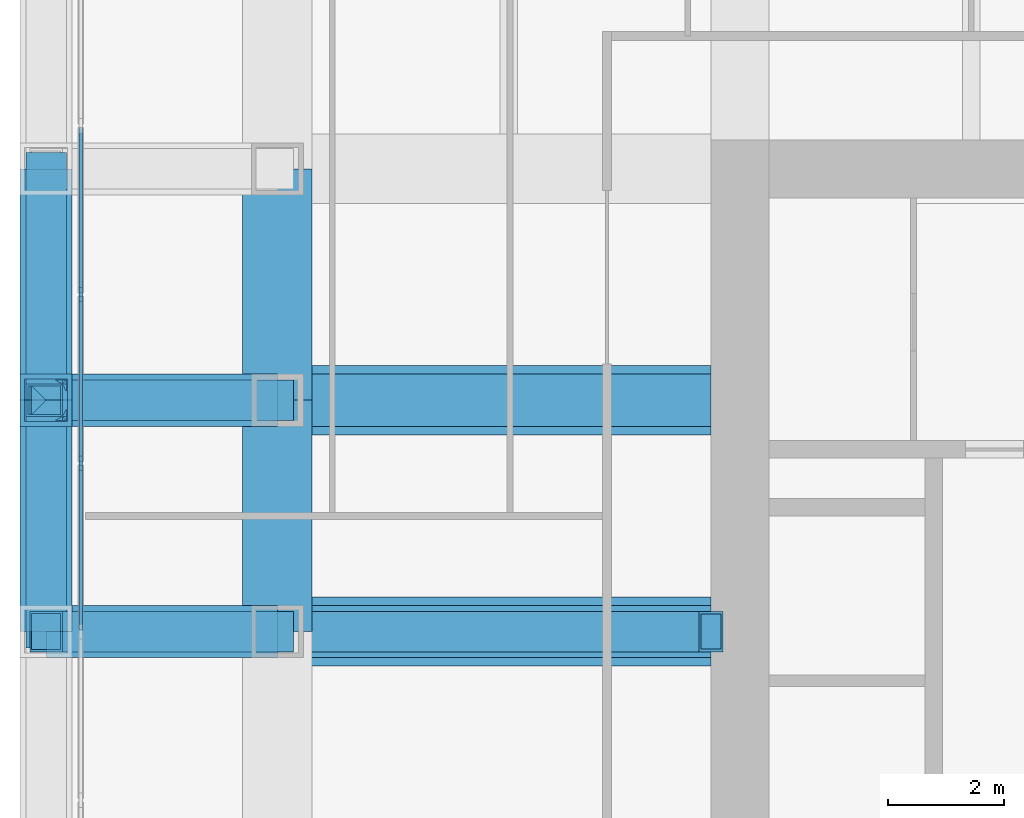
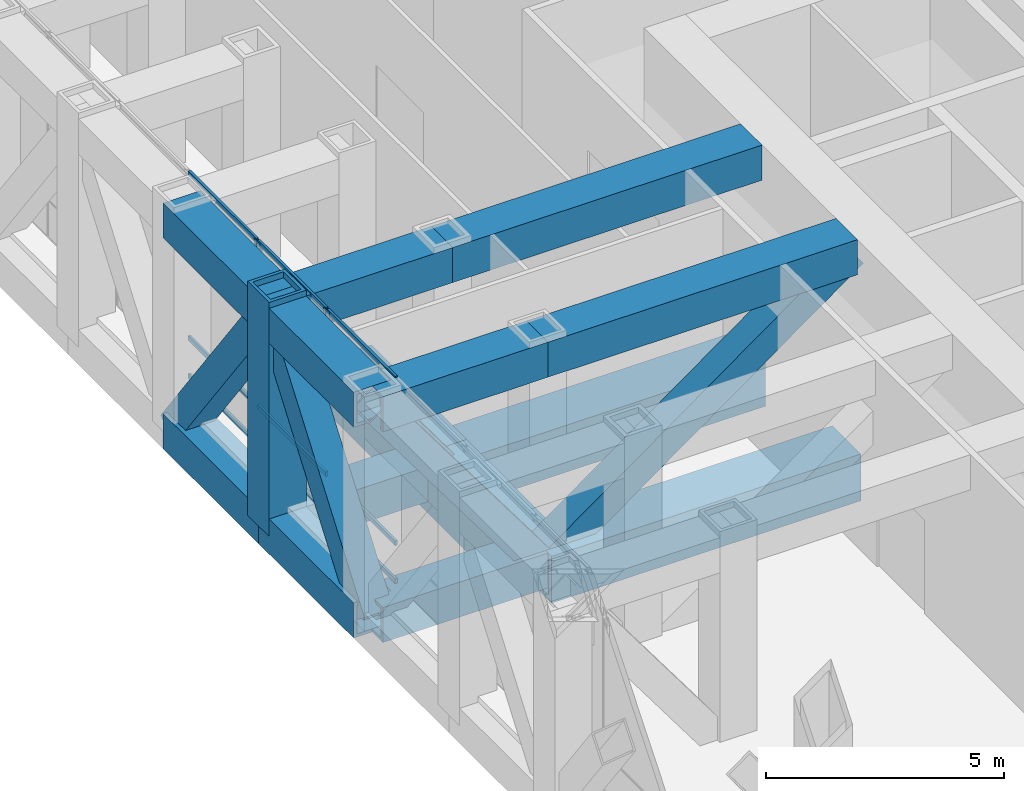
# One storey, part 4 of 13: 17 members, 14 beams, 1 element without a shape of its own.
"""IFC4 building model written with IfcOpenShell, lengths in metres."""

from ifc_helpers import new_model, si_unit, direction, frame, origin, origin_2d, place, context, subcontext, project, spatial, rectangle, hollow_rectangle, extrude, material, material_profile, profile_set, type_object, element, aggregate, save


model = new_model("IFC4")

# Units and contexts
model_context = context("Model", 3, precision=1e-05, world=origin(), true_north=direction((0.0, 1.0)))
body_context = subcontext(model_context, "Body", "Model", "MODEL_VIEW")
ifc_project = project(units=[si_unit("LENGTHUNIT", "METRE"), si_unit("AREAUNIT", "SQUARE_METRE"), si_unit("VOLUMEUNIT", "CUBIC_METRE"), si_unit("PLANEANGLEUNIT", "RADIAN"), si_unit("MASSUNIT", "GRAM", prefix="KILO")], contexts=[model_context])

# Site, building, storey
site_placement = place(None, origin())
site = spatial("IfcSite", under=ifc_project, at=site_placement, CompositionType="ELEMENT")
building_placement = place(site_placement, origin())
building = spatial("IfcBuilding", under=site, at=building_placement, Name="Rimbunsela Tower", CompositionType="ELEMENT")
storey_placement = place(building_placement, frame((0.0, 0.0, 137.39990234375)))
storey = spatial("IfcBuildingStorey", under=building, at=storey_placement, Name="L33", CompositionType="ELEMENT", Elevation=137.39990234375)

# Beams
ifc_material_1 = material(Name="Steel BJ 55 (fy 410 MPa)", Category="steel")
ifc_material_profile_1 = material_profile(ifc_material_1, hollow_rectangle(XDim=1.199951171875, YDim=1.199951171875, WallThickness=0.125, at=origin_2d()), Name="BOX 1200x1200x125")
ifc_profile_set_1 = profile_set([ifc_material_profile_1], Name="Steel BJ 55 (fy 410 MPa)")
beam_type_1 = type_object("IfcBeamType", Name="Beam BOX 1200x1200x125", PredefinedType="BEAM", material=ifc_profile_set_1)
beam_1_placement = place(storey_placement, frame((10.0, 28.0, -0.75), z_axis=(0.0, 1.0, 0.0), x_axis=(-1.0, 0.0, 0.0)))
element("IfcBeam", 1, at=beam_1_placement, inside=storey, type_object=beam_type_1, Name="Beam B4 L33", PredefinedType="BEAM", context=body_context, shape_type="SweptSolid", body=[
    extrude(hollow_rectangle(XDim=1.199951171875, YDim=1.199951171875, WallThickness=0.125, at=origin_2d()), origin(), (0.0, 0.0, 1.0), 4.0),
])
beam_2_placement = place(storey_placement, frame((10.0, 28.0, -0.75), z_axis=(1.0, 0.0, 0.0), x_axis=(0.0, 1.0, 0.0)))
element("IfcBeam", 2, at=beam_2_placement, inside=storey, type_object=beam_type_1, Name="Beam B4 L33", PredefinedType="BEAM", context=body_context, shape_type="SweptSolid", body=[
    extrude(hollow_rectangle(XDim=1.199951171875, YDim=1.199951171875, WallThickness=0.125, at=origin_2d()), origin(), (0.0, 0.0, 1.0), 7.5),
])
beam_3_placement = place(storey_placement, frame((10.0, 32.0, -0.75), z_axis=(0.0, 1.0, 0.0), x_axis=(-1.0, 0.0, 0.0)))
element("IfcBeam", 3, at=beam_3_placement, inside=storey, type_object=beam_type_1, Name="Beam B4 L33", PredefinedType="BEAM", context=body_context, shape_type="SweptSolid", body=[
    extrude(hollow_rectangle(XDim=1.199951171875, YDim=1.199951171875, WallThickness=0.125, at=origin_2d()), origin(), (0.0, 0.0, 1.0), 4.0),
])
beam_4_placement = place(storey_placement, frame((10.0, 32.0, -0.75), z_axis=(1.0, 0.0, 0.0), x_axis=(0.0, 1.0, 0.0)))
element("IfcBeam", 4, at=beam_4_placement, inside=storey, type_object=beam_type_1, Name="Beam B4 L33", PredefinedType="BEAM", context=body_context, shape_type="SweptSolid", body=[
    extrude(hollow_rectangle(XDim=1.199951171875, YDim=1.199951171875, WallThickness=0.125, at=origin_2d()), origin(), (0.0, 0.0, 1.0), 7.5),
])

# Curtain wall, members
ifc_material_2 = material(Name="Aluminium curtain wall", Category="aluminium")
curtain_wall_type = type_object("IfcCurtainWallType", Name="Plant floor louvre wall", PredefinedType="USERDEFINED", material=ifc_material_2)
curtain_wall_placement = place(storey_placement, origin())
curtain_wall = element("IfcCurtainWall", 5, at=curtain_wall_placement, inside=storey, type_object=curtain_wall_type, Name="Plant floor louvre wall L33", ObjectType="PLANT FLOOR LOUVRE WALL", PredefinedType="USERDEFINED")
ifc_material_3 = material(Name="Aluminium mullion", Category="aluminium")
ifc_material_profile_2 = material_profile(ifc_material_3, rectangle(XDim=0.06005859375, YDim=0.25, at=origin_2d()), Name="Mullion 60x250")
ifc_profile_set_2 = profile_set([ifc_material_profile_2], Name="Aluminium mullion")
member_type_1 = type_object("IfcMemberType", Name="Curtain wall mullion 60x250", PredefinedType="MULLION", material=ifc_profile_set_2)
member_1_placement = place(storey_placement, frame((6.60009765625, 33.82861328125, 0.0), z_axis=(0.0, 0.0, 1.0), x_axis=(1.0, 0.0, 0.0)))
member_1 = element("IfcMember", 6, at=member_1_placement, type_object=member_type_1, Name="CW3 mullion 6", PredefinedType="MULLION", context=body_context, shape_type="SweptSolid", body=[
    extrude(rectangle(XDim=0.06005859375, YDim=0.25, at=origin_2d()), origin(), (0.0, 0.0, 1.0), 5.25),
])
member_2_placement = place(storey_placement, frame((6.60009765625, 30.914306640625, 0.0), z_axis=(0.0, 0.0, 1.0), x_axis=(1.0, 0.0, 0.0)))
member_2 = element("IfcMember", 7, at=member_2_placement, type_object=member_type_1, Name="CW3 mullion 7", PredefinedType="MULLION", context=body_context, shape_type="SweptSolid", body=[
    extrude(rectangle(XDim=0.06005859375, YDim=0.25, at=origin_2d()), origin(), (0.0, 0.0, 1.0), 5.25),
])
ifc_material_4 = material(Name="Aluminium transom", Category="aluminium")
ifc_material_profile_3 = material_profile(ifc_material_4, rectangle(XDim=0.06005859375, YDim=0.1201171875, at=origin_2d()), Name="Transom 60x120")
ifc_profile_set_3 = profile_set([ifc_material_profile_3], Name="Aluminium transom")
member_type_2 = type_object("IfcMemberType", Name="Curtain wall transom 60x120", PredefinedType="USERDEFINED", material=ifc_profile_set_3)
member_3_placement = place(storey_placement, frame((6.60009765625, 36.712890625, 0.030029296875), z_axis=(0.0, -1.0, 0.0), x_axis=(1.0, 0.0, 0.0)))
member_3 = element("IfcMember", 8, at=member_3_placement, type_object=member_type_2, Name="CW3 transom 5.1", ObjectType="TRANSOM", PredefinedType="USERDEFINED", context=body_context, shape_type="SweptSolid", body=[
    extrude(rectangle(XDim=0.06005859375, YDim=0.1201171875, at=origin_2d()), origin(), (0.0, 0.0, 1.0), 2.854248046875),
])
member_4_placement = place(storey_placement, frame((6.60009765625, 36.712890625, 1.0), z_axis=(0.0, -1.0, 0.0), x_axis=(1.0, 0.0, 0.0)))
member_4 = element("IfcMember", 9, at=member_4_placement, type_object=member_type_2, Name="CW3 transom 5.2", ObjectType="TRANSOM", PredefinedType="USERDEFINED", context=body_context, shape_type="SweptSolid", body=[
    extrude(rectangle(XDim=0.06005859375, YDim=0.1201171875, at=origin_2d()), origin(), (0.0, 0.0, 1.0), 2.854248046875),
])
member_5_placement = place(storey_placement, frame((6.60009765625, 36.712890625, 5.22021484375), z_axis=(0.0, -1.0, 0.0), x_axis=(1.0, 0.0, 0.0)))
member_5 = element("IfcMember", 10, at=member_5_placement, type_object=member_type_2, Name="CW3 transom 5.3", ObjectType="TRANSOM", PredefinedType="USERDEFINED", context=body_context, shape_type="SweptSolid", body=[
    extrude(rectangle(XDim=0.06005859375, YDim=0.1201171875, at=origin_2d()), origin(), (0.0, 0.0, 1.0), 2.854248046875),
])
member_6_placement = place(storey_placement, frame((6.60009765625, 33.798583984375, 0.030029296875), z_axis=(0.0, -1.0, 0.0), x_axis=(1.0, 0.0, 0.0)))
member_6 = element("IfcMember", 11, at=member_6_placement, type_object=member_type_2, Name="CW3 transom 6.1", ObjectType="TRANSOM", PredefinedType="USERDEFINED", context=body_context, shape_type="SweptSolid", body=[
    extrude(rectangle(XDim=0.06005859375, YDim=0.1201171875, at=origin_2d()), origin(), (0.0, 0.0, 1.0), 2.854248046875),
])
member_7_placement = place(storey_placement, frame((6.60009765625, 33.798583984375, 1.0), z_axis=(0.0, -1.0, 0.0), x_axis=(1.0, 0.0, 0.0)))
member_7 = element("IfcMember", 12, at=member_7_placement, type_object=member_type_2, Name="CW3 transom 6.2", ObjectType="TRANSOM", PredefinedType="USERDEFINED", context=body_context, shape_type="SweptSolid", body=[
    extrude(rectangle(XDim=0.06005859375, YDim=0.1201171875, at=origin_2d()), origin(), (0.0, 0.0, 1.0), 2.854248046875),
])
member_8_placement = place(storey_placement, frame((6.60009765625, 33.798583984375, 5.22021484375), z_axis=(0.0, -1.0, 0.0), x_axis=(1.0, 0.0, 0.0)))
member_8 = element("IfcMember", 13, at=member_8_placement, type_object=member_type_2, Name="CW3 transom 6.3", ObjectType="TRANSOM", PredefinedType="USERDEFINED", context=body_context, shape_type="SweptSolid", body=[
    extrude(rectangle(XDim=0.06005859375, YDim=0.1201171875, at=origin_2d()), origin(), (0.0, 0.0, 1.0), 2.854248046875),
])
member_9_placement = place(storey_placement, frame((6.60009765625, 30.88427734375, 0.030029296875), z_axis=(0.0, -1.0, 0.0), x_axis=(1.0, 0.0, 0.0)))
member_9 = element("IfcMember", 14, at=member_9_placement, type_object=member_type_2, Name="CW3 transom 7.1", ObjectType="TRANSOM", PredefinedType="USERDEFINED", context=body_context, shape_type="SweptSolid", body=[
    extrude(rectangle(XDim=0.06005859375, YDim=0.1201171875, at=origin_2d()), origin(), (0.0, 0.0, 1.0), 2.854248046875),
])
member_10_placement = place(storey_placement, frame((6.60009765625, 30.88427734375, 1.0), z_axis=(0.0, -1.0, 0.0), x_axis=(1.0, 0.0, 0.0)))
member_10 = element("IfcMember", 15, at=member_10_placement, type_object=member_type_2, Name="CW3 transom 7.2", ObjectType="TRANSOM", PredefinedType="USERDEFINED", context=body_context, shape_type="SweptSolid", body=[
    extrude(rectangle(XDim=0.06005859375, YDim=0.1201171875, at=origin_2d()), origin(), (0.0, 0.0, 1.0), 2.854248046875),
])
member_11_placement = place(storey_placement, frame((6.60009765625, 30.88427734375, 5.22021484375), z_axis=(0.0, -1.0, 0.0), x_axis=(1.0, 0.0, 0.0)))
member_11 = element("IfcMember", 16, at=member_11_placement, type_object=member_type_2, Name="CW3 transom 7.3", ObjectType="TRANSOM", PredefinedType="USERDEFINED", context=body_context, shape_type="SweptSolid", body=[
    extrude(rectangle(XDim=0.06005859375, YDim=0.1201171875, at=origin_2d()), origin(), (0.0, 0.0, 1.0), 2.854248046875),
])
aggregate(curtain_wall, [member_1, member_2, member_3, member_4, member_5, member_6, member_7, member_8, member_9, member_10, member_11])

# Member
ifc_material_5 = material(Name="Steel BJ 55 (fy 410 MPa)", Category="steel")
ifc_material_profile_4 = material_profile(ifc_material_5, hollow_rectangle(XDim=0.699951171875, YDim=0.699951171875, WallThickness=0.050048828125, at=origin_2d()), Name="BOX 700x700x50")
ifc_profile_set_4 = profile_set([ifc_material_profile_4], Name="Steel BJ 55 (fy 410 MPa)")
member_type_3 = type_object("IfcMemberType", Name="Outrigger brace BOX 700x700x50", PredefinedType="BRACE", material=ifc_profile_set_4)
member_12_placement = place(storey_placement, frame((10.0, 28.0, -0.599853515625), z_axis=(0.811539352079, 0.0, 0.584297766578), x_axis=(0.0, 1.0, 0.0)))
element("IfcMember", 17, at=member_12_placement, inside=storey, type_object=member_type_3, Name="Outrigger brace OB2 W L33", PredefinedType="BRACE", context=body_context, shape_type="SweptSolid", body=[
    extrude(hollow_rectangle(XDim=0.699951171875, YDim=0.699951171875, WallThickness=0.050048828125, at=origin_2d()), origin(), (0.0, 0.0, 1.0), 9.24169921875),
])

# Beams
ifc_material_6 = material(Name="Steel BJ 55 (fy 410 MPa)", Category="steel")
ifc_material_profile_5 = material_profile(ifc_material_6, hollow_rectangle(XDim=0.89990234375, YDim=0.89990234375, WallThickness=0.080078125, at=origin_2d()), Name="BOX 900x900x80")
ifc_profile_set_5 = profile_set([ifc_material_profile_5], Name="Steel BJ 55 (fy 410 MPa)")
beam_type_2 = type_object("IfcBeamType", Name="Truss chord BOX 900x900x80", PredefinedType="USERDEFINED", material=ifc_profile_set_5)
for number, where, z_axis, x_axis, name in (
    (18, (6.0, 28.0, 4.800048828125), (0.0, 1.0, 0.0), (-1.0, 0.0, 0.0), "Truss top chord TC3 W face L33"),
    (19, (6.0, 32.0, 4.800048828125), (0.0, 1.0, 0.0), (-1.0, 0.0, 0.0), "Truss top chord TC3 W face L33"),
    (20, (10.0, 28.0, -0.599853515625), (-1.0, 0.0, 0.0), (0.0, -1.0, 0.0), "Cantilever truss bottom chord TC3 4/J L33"),
):
    element("IfcBeam", number, at=place(storey_placement, frame(where, z_axis=z_axis, x_axis=x_axis)), inside=storey, type_object=beam_type_2, Name=name, ObjectType="TRUSS CHORD", PredefinedType="USERDEFINED", context=body_context, shape_type="SweptSolid", body=[
        extrude(hollow_rectangle(XDim=0.89990234375, YDim=0.89990234375, WallThickness=0.080078125, at=origin_2d()), origin(), (0.0, 0.0, 1.0), 4.0),
    ])
beam_5_placement = place(storey_placement, frame((17.5, 28.0, 4.800048828125), z_axis=(-1.0, 0.0, 0.0), x_axis=(0.0, -1.0, 0.0)))
element("IfcBeam", 21, at=beam_5_placement, inside=storey, type_object=beam_type_2, Name="Cantilever truss top chord TC3 4/J L33", ObjectType="TRUSS CHORD", PredefinedType="USERDEFINED", context=body_context, shape_type="SweptSolid", body=[
    extrude(hollow_rectangle(XDim=0.89990234375, YDim=0.89990234375, WallThickness=0.080078125, at=origin_2d()), origin(), (0.0, 0.0, 1.0), 7.5),
])
for number, where, z_axis, x_axis, name in (
    (22, (10.0, 28.0, 4.800048828125), (-1.0, 0.0, 0.0), (0.0, -1.0, 0.0), "Cantilever truss top chord TC3 4/J L33"),
    (23, (10.0, 32.0, -0.599853515625), (-1.0, 0.0, 0.0), (0.0, -1.0, 0.0), "Cantilever truss bottom chord TC3 4/K L33"),
):
    element("IfcBeam", number, at=place(storey_placement, frame(where, z_axis=z_axis, x_axis=x_axis)), inside=storey, type_object=beam_type_2, Name=name, ObjectType="TRUSS CHORD", PredefinedType="USERDEFINED", context=body_context, shape_type="SweptSolid", body=[
        extrude(hollow_rectangle(XDim=0.89990234375, YDim=0.89990234375, WallThickness=0.080078125, at=origin_2d()), origin(), (0.0, 0.0, 1.0), 4.0),
    ])
beam_6_placement = place(storey_placement, frame((17.5, 32.0, 4.800048828125), z_axis=(-1.0, 0.0, 0.0), x_axis=(0.0, -1.0, 0.0)))
element("IfcBeam", 24, at=beam_6_placement, inside=storey, type_object=beam_type_2, Name="Cantilever truss top chord TC3 4/K L33", ObjectType="TRUSS CHORD", PredefinedType="USERDEFINED", context=body_context, shape_type="SweptSolid", body=[
    extrude(hollow_rectangle(XDim=0.89990234375, YDim=0.89990234375, WallThickness=0.080078125, at=origin_2d()), origin(), (0.0, 0.0, 1.0), 7.5),
])
for number, where, z_axis, x_axis, name in (
    (25, (10.0, 32.0, 4.800048828125), (-1.0, 0.0, 0.0), (0.0, -1.0, 0.0), "Cantilever truss top chord TC3 4/K L33"),
    (26, (6.0, 28.0, -0.599853515625), (0.0, 1.0, 0.0), (-1.0, 0.0, 0.0), "Truss bottom chord TC3 W face L33"),
    (27, (6.0, 32.0, -0.599853515625), (0.0, 1.0, 0.0), (-1.0, 0.0, 0.0), "Truss bottom chord TC3 W face L33"),
):
    element("IfcBeam", number, at=place(storey_placement, frame(where, z_axis=z_axis, x_axis=x_axis)), inside=storey, type_object=beam_type_2, Name=name, ObjectType="TRUSS CHORD", PredefinedType="USERDEFINED", context=body_context, shape_type="SweptSolid", body=[
        extrude(hollow_rectangle(XDim=0.89990234375, YDim=0.89990234375, WallThickness=0.080078125, at=origin_2d()), origin(), (0.0, 0.0, 1.0), 4.0),
    ])

# Members
ifc_material_7 = material(Name="Steel BJ 55 (fy 410 MPa)", Category="steel")
ifc_material_profile_6 = material_profile(ifc_material_7, hollow_rectangle(XDim=0.699951171875, YDim=0.699951171875, WallThickness=0.0400390625, at=origin_2d()), Name="BOX 700x700x40")
ifc_profile_set_6 = profile_set([ifc_material_profile_6], Name="Steel BJ 55 (fy 410 MPa)")
member_type_4 = type_object("IfcMemberType", Name="Truss diagonal BOX 700x700x40", PredefinedType="BRACE", material=ifc_profile_set_6)
for number, where, z_axis, x_axis, name in (
    (28, (6.0, 28.0, -0.599853515625), (0.0, 0.595234501294, 0.803552044655), (-1.0, 0.0, 0.0), "Truss diagonal TD3 W face L33"),
    (29, (6.0, 32.0, 4.800048828125), (0.0, 0.595234501294, -0.803552044655), (-1.0, 0.0, 0.0), "Truss diagonal TD3 W face L33"),
    (30, (10.0, 28.0, -0.599853515625), (-0.595234501294, 0.0, 0.803552044655), (0.0, -1.0, 0.0), "Cantilever truss diagonal TD3 4/J L33"),
    (31, (10.0, 32.0, -0.599853515625), (-0.595234501294, 0.0, 0.803552044655), (0.0, -1.0, 0.0), "Cantilever truss diagonal TD3 4/K L33"),
):
    element("IfcMember", number, at=place(storey_placement, frame(where, z_axis=z_axis, x_axis=x_axis)), inside=storey, type_object=member_type_4, Name=name, PredefinedType="BRACE", context=body_context, shape_type="SweptSolid", body=[
        extrude(hollow_rectangle(XDim=0.699951171875, YDim=0.699951171875, WallThickness=0.0400390625, at=origin_2d()), origin(), (0.0, 0.0, 1.0), 6.719970703125),
    ])
ifc_material_8 = material(Name="Steel BJ 55 (fy 410 MPa)", Category="steel")
ifc_material_profile_7 = material_profile(ifc_material_8, hollow_rectangle(XDim=0.89990234375, YDim=0.89990234375, WallThickness=0.080078125, at=origin_2d()), Name="BOX 900x900x80")
ifc_profile_set_7 = profile_set([ifc_material_profile_7], Name="Steel BJ 55 (fy 410 MPa)")
member_type_5 = type_object("IfcMemberType", Name="Truss post BOX 900x900x80", PredefinedType="POST", material=ifc_profile_set_7)
member_13_placement = place(storey_placement, frame((6.0, 32.0, -0.599853515625), z_axis=(0.0, 0.0, 1.0), x_axis=(1.0, 0.0, 0.0)))
element("IfcMember", 32, at=member_13_placement, inside=storey, type_object=member_type_5, Name="Truss post TP3 4/K L33", PredefinedType="POST", context=body_context, shape_type="SweptSolid", body=[
    extrude(hollow_rectangle(XDim=0.89990234375, YDim=0.89990234375, WallThickness=0.080078125, at=origin_2d()), origin(), (0.0, 0.0, 1.0), 6.0),
])

save(model, "model.ifc")
